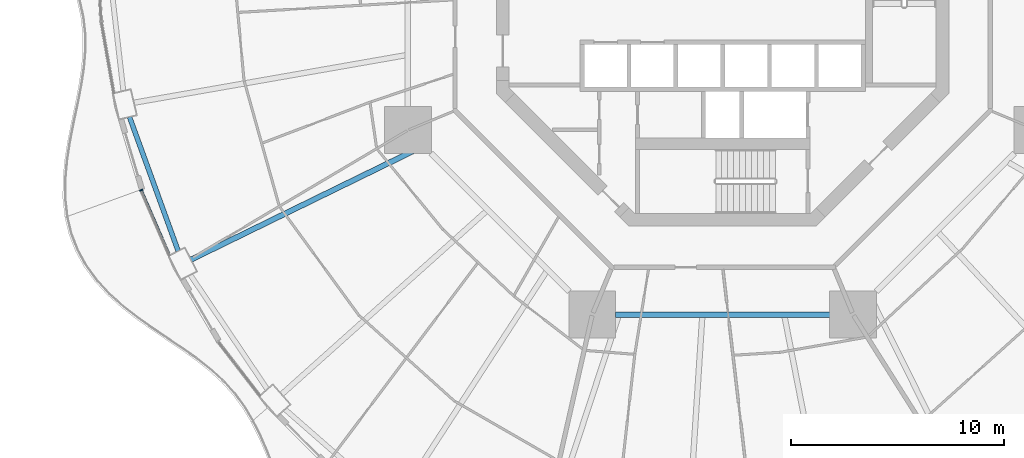
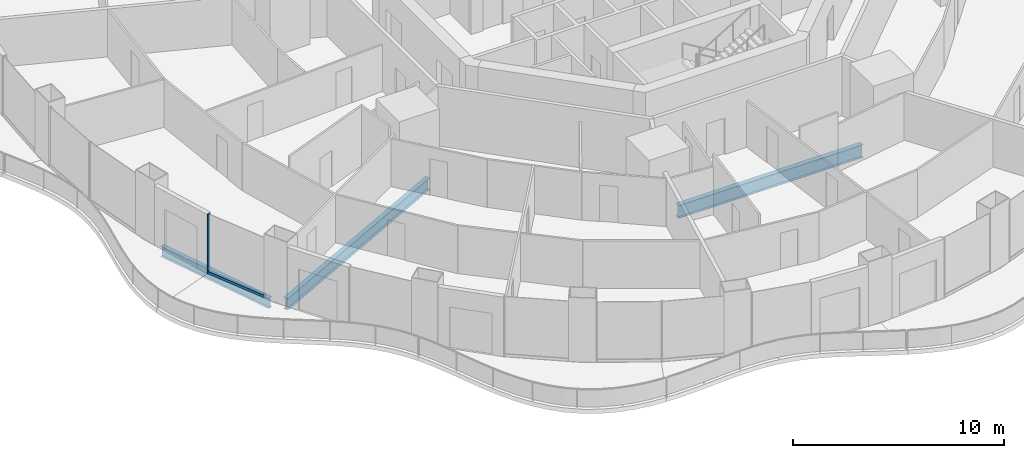
# One storey, part 3 of 22: 3 beams, 2 members, 1 element without a shape of its own.
"""IFC4 building model written with IfcOpenShell, lengths in metres."""

from ifc_helpers import new_model, si_unit, direction, frame, origin, origin_2d, place, context, subcontext, project, spatial, rectangle, i_section, extrude, material, layer, layer_set, material_profile, profile_set, type_object, element, aggregate, save


model = new_model("IFC4")

# Units and contexts
model_context = context("Model", 3, precision=1e-05, world=origin(), true_north=direction((0.0, 1.0)))
body_context = subcontext(model_context, "Body", "Model", "MODEL_VIEW")
ifc_project = project(units=[si_unit("LENGTHUNIT", "METRE"), si_unit("AREAUNIT", "SQUARE_METRE"), si_unit("VOLUMEUNIT", "CUBIC_METRE"), si_unit("PLANEANGLEUNIT", "RADIAN"), si_unit("MASSUNIT", "GRAM", prefix="KILO")], contexts=[model_context])

# Site, building, storey
site_placement = place(None, origin())
site = spatial("IfcSite", under=ifc_project, at=site_placement, CompositionType="ELEMENT")
building_placement = place(site_placement, origin())
building = spatial("IfcBuilding", under=site, at=building_placement, Name="Nagisa Residences", CompositionType="ELEMENT")
storey_placement = place(building_placement, frame((0.0, 0.0, 106.60009765625)))
storey = spatial("IfcBuildingStorey", under=building, at=storey_placement, Name="L26", CompositionType="ELEMENT", Elevation=106.60009765625)

# Curtain wall, members
ifc_material_1 = material(Name="Concrete-coloured aluminium curtain wall system", Category="concrete")
ifc_layer = layer(ifc_material_1, 0.159912109375)
ifc_layer_set = layer_set([ifc_layer], Name="CW1 CURTAIN WALL")
curtain_wall_type = type_object("IfcCurtainWallType", Name="CW1 CURTAIN WALL", PredefinedType="NOTDEFINED", material=ifc_layer_set)
curtain_wall_placement = place(storey_placement, origin())
curtain_wall = element("IfcCurtainWall", 1, at=curtain_wall_placement, inside=storey, type_object=curtain_wall_type, Name="cw:CW1:L26:27", PredefinedType="NOTDEFINED")
ifc_material_2 = material(Name="Concrete-coloured aluminium", Category="concrete")
ifc_material_profile_1 = material_profile(ifc_material_2, rectangle(XDim=0.159912109375, YDim=0.06005859375, at=origin_2d()), Name="CW1 MULLION 160x60")
ifc_profile_set_1 = profile_set([ifc_material_profile_1], Name="Concrete-coloured aluminium")
member_type_1 = type_object("IfcMemberType", Name="CW1 MULLION 160x60", PredefinedType="MULLION", material=ifc_profile_set_1)
member_1_placement = place(storey_placement, frame((-27.301513671875, -8.938232421875, 0.0), z_axis=(0.0, 0.0, 1.0), x_axis=(0.917543276295, 0.397635934147, 0.0)))
member_1 = element("IfcMember", 2, at=member_1_placement, type_object=member_type_1, Name="CW1 mullion", PredefinedType="MULLION", context=body_context, shape_type="SweptSolid", body=[
    extrude(rectangle(XDim=0.159912109375, YDim=0.06005859375, at=origin_2d()), origin(), (0.0, 0.0, 1.0), 3.43994140625),
])
ifc_material_3 = material(Name="Concrete-coloured aluminium", Category="concrete")
ifc_material_profile_2 = material_profile(ifc_material_3, rectangle(XDim=0.1201171875, YDim=0.14990234375, at=origin_2d()), Name="CW1 TRANSOM 120x150")
ifc_profile_set_2 = profile_set([ifc_material_profile_2], Name="Concrete-coloured aluminium")
member_type_2 = type_object("IfcMemberType", Name="CW1 TRANSOM 120x150", PredefinedType="USERDEFINED", material=ifc_profile_set_2)
member_2_placement = place(storey_placement, frame((-27.3134765625, -8.91064453125, 0.074951171875), z_axis=(0.397621629246, -0.917549475481, 0.0), x_axis=(0.917549475481, 0.397621629246, 0.0)))
member_2 = element("IfcMember", 3, at=member_2_placement, type_object=member_type_2, Name="CW1 transom", ObjectType="TRANSOM", PredefinedType="USERDEFINED", context=body_context, shape_type="SweptSolid", body=[
    extrude(rectangle(XDim=0.1201171875, YDim=0.14990234375, at=origin_2d()), origin(), (0.0, 0.0, 1.0), 3.37939453125),
])
aggregate(curtain_wall, [member_1, member_2])

# Beams
ifc_material_4 = material(Name="Steel ASTM A572 Gr 50", Category="steel")
ifc_material_profile_3 = material_profile(ifc_material_4, i_section(OverallWidth=0.264892578125, OverallDepth=0.7529296875, WebThickness=0.01318359375, FlangeThickness=0.01708984375, at=origin_2d()), Name="W760x147")
ifc_profile_set_3 = profile_set([ifc_material_profile_3], Name="Steel ASTM A572 Gr 50")
beam_type_1 = type_object("IfcBeamType", Name="Inner ring beam W760x147", PredefinedType="BEAM", material=ifc_profile_set_3)
beam_1_placement = place(storey_placement, frame((-5.04296875, -14.781982421875, -0.63671875), z_axis=(1.0, 0.0, 0.0), x_axis=(0.0, 1.0, 0.0)))
element("IfcBeam", 4, at=beam_1_placement, inside=storey, type_object=beam_type_1, Name="beam:L26:ib6", PredefinedType="BEAM", context=body_context, shape_type="SweptSolid", body=[
    extrude(i_section(OverallWidth=0.264892578125, OverallDepth=0.7529296875, WebThickness=0.01318359375, FlangeThickness=0.01708984375, at=origin_2d()), origin(), (0.0, 0.0, 1.0), 10.0859375),
])
ifc_material_5 = material(Name="Steel ASTM A572 Gr 50", Category="steel")
ifc_material_profile_4 = material_profile(ifc_material_5, i_section(OverallWidth=0.22802734375, OverallDepth=0.60302734375, WebThickness=0.010498046875, FlangeThickness=0.014892578125, at=origin_2d()), Name="W610x101")
ifc_profile_set_4 = profile_set([ifc_material_profile_4], Name="Steel ASTM A572 Gr 50")
beam_type_2 = type_object("IfcBeamType", Name="Perimeter ring beam W610x101", PredefinedType="BEAM", material=ifc_profile_set_4)
beam_2_placement = place(storey_placement, frame((-27.851806640625, -5.505859375, -0.5615234375), z_axis=(0.341365002286, -0.939930814057, 0.0), x_axis=(0.939930814057, 0.341365002286, 0.0)))
element("IfcBeam", 5, at=beam_2_placement, inside=storey, type_object=beam_type_2, Name="beam:L26:pb14", PredefinedType="BEAM", context=body_context, shape_type="SweptSolid", body=[
    extrude(i_section(OverallWidth=0.22802734375, OverallDepth=0.60302734375, WebThickness=0.010498046875, FlangeThickness=0.014892578125, at=origin_2d()), origin(), (0.0, 0.0, 1.0), 6.689208984375),
])
ifc_material_6 = material(Name="Steel ASTM A572 Gr 50", Category="steel")
ifc_material_profile_5 = material_profile(ifc_material_6, i_section(OverallWidth=0.2529296875, OverallDepth=0.677978515625, WebThickness=0.01171875, FlangeThickness=0.016357421875, at=origin_2d()), Name="W690x125")
ifc_profile_set_5 = profile_set([ifc_material_profile_5], Name="Steel ASTM A572 Gr 50")
beam_type_3 = type_object("IfcBeamType", Name="Radial beam W690x125", PredefinedType="BEAM", material=ifc_profile_set_5)
beam_3_placement = place(storey_placement, frame((-24.965087890625, -12.200927734375, -0.59912109375), z_axis=(0.898446773802, 0.439082446296, 0.0), x_axis=(-0.439082446296, 0.898446773802, 0.0)))
element("IfcBeam", 6, at=beam_3_placement, inside=storey, type_object=beam_type_3, Name="beam:L26:rb15", PredefinedType="BEAM", context=body_context, shape_type="SweptSolid", body=[
    extrude(i_section(OverallWidth=0.2529296875, OverallDepth=0.677978515625, WebThickness=0.01171875, FlangeThickness=0.016357421875, at=origin_2d()), origin(), (0.0, 0.0, 1.0), 12.037353515625),
])

save(model, "model.ifc")
